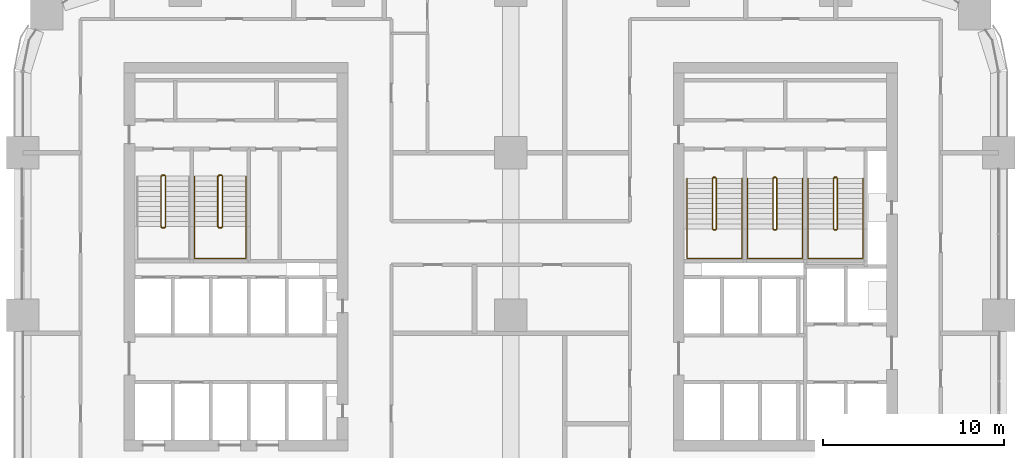
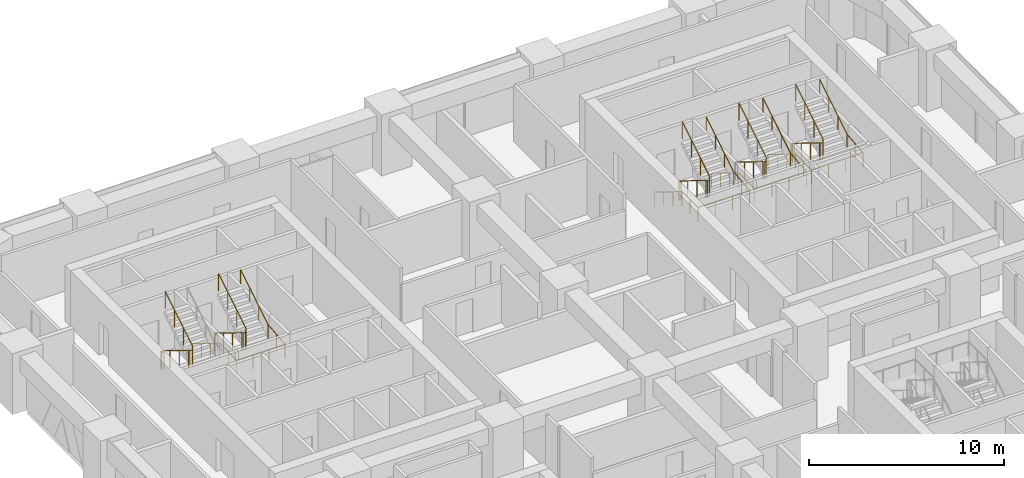
# One storey, part 21 of 21: 9 railings.
"""IFC4 building model written with IfcOpenShell, lengths in metres."""

from ifc_helpers import new_model, si_unit, direction, frame, origin, origin_2d, place, context, subcontext, project, spatial, circle, extrude, material, type_object, element, save


model = new_model("IFC4")

# Units and contexts
model_context = context("Model", 3, precision=1e-05, world=origin(), true_north=direction((0.0, 1.0)))
body_context = subcontext(model_context, "Body", "Model", "MODEL_VIEW")
ifc_project = project(units=[si_unit("LENGTHUNIT", "METRE"), si_unit("AREAUNIT", "SQUARE_METRE"), si_unit("VOLUMEUNIT", "CUBIC_METRE"), si_unit("PLANEANGLEUNIT", "RADIAN"), si_unit("MASSUNIT", "GRAM", prefix="KILO")], contexts=[model_context])

# Site, building, storey
site_placement = place(None, origin())
site = spatial("IfcSite", under=ifc_project, at=site_placement, CompositionType="ELEMENT")
building_placement = place(site_placement, origin())
building = spatial("IfcBuilding", under=site, at=building_placement, Name="Tessera Arch", CompositionType="ELEMENT")
storey_placement = place(building_placement, frame((0.0, 0.0, 50.0)))
storey = spatial("IfcBuildingStorey", under=building, at=storey_placement, Name="L10", CompositionType="ELEMENT", Elevation=50.0)

# Railings
ifc_material_1 = material(Name="Painted steel balustrade", Category="steel")
railing_type_1 = type_object("IfcRailingType", Name="Stair guard 1100", PredefinedType="GUARDRAIL", material=ifc_material_1)
railing_1_placement = place(storey_placement, frame((38.219970703125, 43.6298828125, 0.0)))
element("IfcRailing", 1, at=railing_1_placement, inside=storey, type_object=railing_type_1, Name="L10 S1a stair guard 1", PredefinedType="GUARDRAIL", context=body_context, shape_type="SweptSolid", body=[
    extrude(circle(Radius=0.02392578125, at=origin_2d()), frame((-0.00390625, 0.0, 1.076171875), z_axis=(1.0, 0.0, 0.0), x_axis=(0.0, 1.0, 0.0)), (0.0, 0.0, 1.0), 0.1181640625),
    extrude(circle(Radius=0.02392578125, at=origin_2d()), frame((0.11279296875, 0.000732421875, 1.0732421875), z_axis=(-0.665449600336, -0.206938595226, 0.717184249143), x_axis=(0.296948579431, -0.954893471113, 0.0)), (0.0, 0.0, 1.0), 0.248779296875),
    extrude(circle(Radius=0.02392578125, at=origin_2d()), frame((-0.050048828125, -0.04638671875, 1.24658203125), z_axis=(0.0, -0.851089632645, 0.525020415988), x_axis=(1.0, 0.0, 0.0)), (0.0, 0.0, 1.0), 3.2978515625),
    extrude(circle(Radius=0.02392578125, at=origin_2d()), frame((-0.052978515625, -2.846923828125, 2.97607421875), z_axis=(0.707106781187, -0.707106781187, 0.0), x_axis=(0.707106781187, 0.707106781187, 0.0)), (0.0, 0.0, 1.0), 0.078857421875),
    extrude(circle(Radius=0.02392578125, at=origin_2d()), frame((-0.00390625, -2.89990234375, 2.97607421875), z_axis=(1.0, 0.0, 0.0), x_axis=(0.0, 1.0, 0.0)), (0.0, 0.0, 1.0), 0.1181640625),
    extrude(circle(Radius=0.02392578125, at=origin_2d()), frame((0.109130859375, -2.90087890625, 2.97216796875), z_axis=(0.266739603011, 0.268047150085, 0.925743328097), x_axis=(-0.708833529934, 0.705375805398, 0.0)), (0.0, 0.0, 1.0), 0.19482421875),
    extrude(circle(Radius=0.02392578125, at=origin_2d()), frame((0.159912109375, -2.853271484375, 3.146728515625), z_axis=(0.0, 0.851089632645, 0.525020415988), x_axis=(-1.0, 0.0, 0.0)), (0.0, 0.0, 1.0), 3.2978515625),
    extrude(circle(Radius=0.02099609375, at=origin_2d()), origin(), (0.0, 0.0, 1.0), 1.06396484375),
    extrude(circle(Radius=0.02099609375, at=origin_2d()), frame((0.110107421875, 0.0, 0.0)), (0.0, 0.0, 1.0), 1.06396484375),
    extrude(circle(Radius=0.02099609375, at=origin_2d()), frame((-0.050048828125, -0.0498046875, 0.172607421875)), (0.0, 0.0, 1.0), 1.06396484375),
    extrude(circle(Radius=0.02099609375, at=origin_2d()), frame((-0.050048828125, -0.983154296875, 0.748291015625)), (0.0, 0.0, 1.0), 1.06396484375),
    extrude(circle(Radius=0.02099609375, at=origin_2d()), frame((-0.050048828125, -1.91650390625, 1.32421875)), (0.0, 0.0, 1.0), 1.06396484375),
    extrude(circle(Radius=0.02099609375, at=origin_2d()), frame((-0.050048828125, -2.849853515625, 1.89990234375)), (0.0, 0.0, 1.0), 1.06396484375),
    extrude(circle(Radius=0.02099609375, at=origin_2d()), frame((0.0, -2.89990234375, 1.89990234375)), (0.0, 0.0, 1.0), 1.06396484375),
    extrude(circle(Radius=0.02099609375, at=origin_2d()), frame((0.110107421875, -2.89990234375, 1.89990234375)), (0.0, 0.0, 1.0), 1.06396484375),
    extrude(circle(Radius=0.02099609375, at=origin_2d()), frame((0.159912109375, -2.849853515625, 2.07275390625)), (0.0, 0.0, 1.0), 1.06396484375),
    extrude(circle(Radius=0.02099609375, at=origin_2d()), frame((0.159912109375, -1.91650390625, 2.6484375)), (0.0, 0.0, 1.0), 1.06396484375),
    extrude(circle(Radius=0.02099609375, at=origin_2d()), frame((0.159912109375, -0.983154296875, 3.224365234375)), (0.0, 0.0, 1.0), 1.06396484375),
    extrude(circle(Radius=0.02099609375, at=origin_2d()), frame((0.159912109375, -0.0498046875, 3.800048828125)), (0.0, 0.0, 1.0), 1.06396484375),
])
railing_2_placement = place(storey_placement, frame((41.570068359375, 43.6298828125, 0.0)))
element("IfcRailing", 2, at=railing_2_placement, inside=storey, type_object=railing_type_1, Name="L10 S1b stair guard 1", PredefinedType="GUARDRAIL", context=body_context, shape_type="SweptSolid", body=[
    extrude(circle(Radius=0.02392578125, at=origin_2d()), frame((-0.00390625, 0.0, 1.076171875), z_axis=(1.0, 0.0, 0.0), x_axis=(0.0, 1.0, 0.0)), (0.0, 0.0, 1.0), 0.117919921875),
    extrude(circle(Radius=0.02392578125, at=origin_2d()), frame((0.112548828125, 0.000732421875, 1.0732421875), z_axis=(-0.664883824791, -0.207078321004, 0.717668494851), x_axis=(0.297361876254, -0.954764847777, 0.0)), (0.0, 0.0, 1.0), 0.24853515625),
    extrude(circle(Radius=0.02392578125, at=origin_2d()), frame((-0.050048828125, -0.04638671875, 1.24658203125), z_axis=(0.0, -0.851089632645, 0.525020415988), x_axis=(1.0, 0.0, 0.0)), (0.0, 0.0, 1.0), 3.2978515625),
    extrude(circle(Radius=0.02392578125, at=origin_2d()), frame((-0.052978515625, -2.846923828125, 2.97607421875), z_axis=(0.707106781187, -0.707106781187, 0.0), x_axis=(0.707106781187, 0.707106781187, 0.0)), (0.0, 0.0, 1.0), 0.078857421875),
    extrude(circle(Radius=0.02392578125, at=origin_2d()), frame((-0.00390625, -2.89990234375, 2.97607421875), z_axis=(1.0, 0.0, 0.0), x_axis=(0.0, 1.0, 0.0)), (0.0, 0.0, 1.0), 0.117919921875),
    extrude(circle(Radius=0.02392578125, at=origin_2d()), frame((0.10888671875, -2.90087890625, 2.97216796875), z_axis=(0.267953482034, 0.267953482034, 0.925419830635), x_axis=(-0.707106781187, 0.707106781187, 0.0)), (0.0, 0.0, 1.0), 0.19482421875),
    extrude(circle(Radius=0.02392578125, at=origin_2d()), frame((0.159912109375, -2.853271484375, 3.146728515625), z_axis=(0.0, 0.851089632645, 0.525020415988), x_axis=(-1.0, 0.0, 0.0)), (0.0, 0.0, 1.0), 3.2978515625),
    extrude(circle(Radius=0.02099609375, at=origin_2d()), origin(), (0.0, 0.0, 1.0), 1.06396484375),
    extrude(circle(Radius=0.02099609375, at=origin_2d()), frame((0.10986328125, 0.0, 0.0)), (0.0, 0.0, 1.0), 1.06396484375),
    extrude(circle(Radius=0.02099609375, at=origin_2d()), frame((-0.050048828125, -0.0498046875, 0.172607421875)), (0.0, 0.0, 1.0), 1.06396484375),
    extrude(circle(Radius=0.02099609375, at=origin_2d()), frame((-0.050048828125, -0.983154296875, 0.748291015625)), (0.0, 0.0, 1.0), 1.06396484375),
    extrude(circle(Radius=0.02099609375, at=origin_2d()), frame((-0.050048828125, -1.91650390625, 1.32421875)), (0.0, 0.0, 1.0), 1.06396484375),
    extrude(circle(Radius=0.02099609375, at=origin_2d()), frame((-0.050048828125, -2.849853515625, 1.89990234375)), (0.0, 0.0, 1.0), 1.06396484375),
    extrude(circle(Radius=0.02099609375, at=origin_2d()), frame((0.0, -2.89990234375, 1.89990234375)), (0.0, 0.0, 1.0), 1.06396484375),
    extrude(circle(Radius=0.02099609375, at=origin_2d()), frame((0.10986328125, -2.89990234375, 1.89990234375)), (0.0, 0.0, 1.0), 1.06396484375),
    extrude(circle(Radius=0.02099609375, at=origin_2d()), frame((0.159912109375, -2.849853515625, 2.07275390625)), (0.0, 0.0, 1.0), 1.06396484375),
    extrude(circle(Radius=0.02099609375, at=origin_2d()), frame((0.159912109375, -1.91650390625, 2.6484375)), (0.0, 0.0, 1.0), 1.06396484375),
    extrude(circle(Radius=0.02099609375, at=origin_2d()), frame((0.159912109375, -0.983154296875, 3.224365234375)), (0.0, 0.0, 1.0), 1.06396484375),
    extrude(circle(Radius=0.02099609375, at=origin_2d()), frame((0.159912109375, -0.0498046875, 3.800048828125)), (0.0, 0.0, 1.0), 1.06396484375),
])
railing_3_placement = place(storey_placement, frame((44.919921875, 43.6298828125, 0.0)))
element("IfcRailing", 3, at=railing_3_placement, inside=storey, type_object=railing_type_1, Name="L10 S1c stair guard 1", PredefinedType="GUARDRAIL", context=body_context, shape_type="SweptSolid", body=[
    extrude(circle(Radius=0.02392578125, at=origin_2d()), frame((-0.00390625, 0.0, 1.076171875), z_axis=(1.0, 0.0, 0.0), x_axis=(0.0, 1.0, 0.0)), (0.0, 0.0, 1.0), 0.1181640625),
    extrude(circle(Radius=0.02392578125, at=origin_2d()), frame((0.11279296875, 0.000732421875, 1.0732421875), z_axis=(-0.664883824791, -0.207078321004, 0.717668494851), x_axis=(0.297361876254, -0.954764847777, 0.0)), (0.0, 0.0, 1.0), 0.24853515625),
    extrude(circle(Radius=0.02392578125, at=origin_2d()), frame((-0.0498046875, -0.04638671875, 1.24658203125), z_axis=(0.0, -0.851089632645, 0.525020415988), x_axis=(1.0, 0.0, 0.0)), (0.0, 0.0, 1.0), 3.2978515625),
    extrude(circle(Radius=0.02392578125, at=origin_2d()), frame((-0.052734375, -2.846923828125, 2.97607421875), z_axis=(0.705375805398, -0.708833529934, 0.0), x_axis=(0.708833529934, 0.705375805398, 0.0)), (0.0, 0.0, 1.0), 0.07861328125),
    extrude(circle(Radius=0.02392578125, at=origin_2d()), frame((-0.00390625, -2.89990234375, 2.97607421875), z_axis=(1.0, 0.0, 0.0), x_axis=(0.0, 1.0, 0.0)), (0.0, 0.0, 1.0), 0.1181640625),
    extrude(circle(Radius=0.02392578125, at=origin_2d()), frame((0.109130859375, -2.90087890625, 2.97216796875), z_axis=(0.267953482034, 0.267953482034, 0.925419830635), x_axis=(-0.707106781187, 0.707106781187, 0.0)), (0.0, 0.0, 1.0), 0.19482421875),
    extrude(circle(Radius=0.02392578125, at=origin_2d()), frame((0.16015625, -2.853271484375, 3.146728515625), z_axis=(0.0, 0.851089632645, 0.525020415988), x_axis=(-1.0, 0.0, 0.0)), (0.0, 0.0, 1.0), 3.2978515625),
    extrude(circle(Radius=0.02099609375, at=origin_2d()), origin(), (0.0, 0.0, 1.0), 1.06396484375),
    extrude(circle(Radius=0.02099609375, at=origin_2d()), frame((0.110107421875, 0.0, 0.0)), (0.0, 0.0, 1.0), 1.06396484375),
    extrude(circle(Radius=0.02099609375, at=origin_2d()), frame((-0.0498046875, -0.0498046875, 0.172607421875)), (0.0, 0.0, 1.0), 1.06396484375),
    extrude(circle(Radius=0.02099609375, at=origin_2d()), frame((-0.0498046875, -0.983154296875, 0.748291015625)), (0.0, 0.0, 1.0), 1.06396484375),
    extrude(circle(Radius=0.02099609375, at=origin_2d()), frame((-0.0498046875, -1.91650390625, 1.32421875)), (0.0, 0.0, 1.0), 1.06396484375),
    extrude(circle(Radius=0.02099609375, at=origin_2d()), frame((-0.0498046875, -2.849853515625, 1.89990234375)), (0.0, 0.0, 1.0), 1.06396484375),
    extrude(circle(Radius=0.02099609375, at=origin_2d()), frame((0.0, -2.89990234375, 1.89990234375)), (0.0, 0.0, 1.0), 1.06396484375),
    extrude(circle(Radius=0.02099609375, at=origin_2d()), frame((0.110107421875, -2.89990234375, 1.89990234375)), (0.0, 0.0, 1.0), 1.06396484375),
    extrude(circle(Radius=0.02099609375, at=origin_2d()), frame((0.16015625, -2.849853515625, 2.07275390625)), (0.0, 0.0, 1.0), 1.06396484375),
    extrude(circle(Radius=0.02099609375, at=origin_2d()), frame((0.16015625, -1.91650390625, 2.6484375)), (0.0, 0.0, 1.0), 1.06396484375),
    extrude(circle(Radius=0.02099609375, at=origin_2d()), frame((0.16015625, -0.983154296875, 3.224365234375)), (0.0, 0.0, 1.0), 1.06396484375),
    extrude(circle(Radius=0.02099609375, at=origin_2d()), frame((0.16015625, -0.0498046875, 3.800048828125)), (0.0, 0.0, 1.0), 1.06396484375),
])
railing_4_placement = place(storey_placement, frame((7.699951171875, 43.75, 0.0)))
element("IfcRailing", 4, at=railing_4_placement, inside=storey, type_object=railing_type_1, Name="L10 S2a stair guard 1", PredefinedType="GUARDRAIL", context=body_context, shape_type="SweptSolid", body=[
    extrude(circle(Radius=0.02392578125, at=origin_2d()), frame((-0.00390625, 0.0, 1.076171875), z_axis=(1.0, 0.0, 0.0), x_axis=(0.0, 1.0, 0.0)), (0.0, 0.0, 1.0), 0.158203125),
    extrude(circle(Radius=0.02392578125, at=origin_2d()), frame((0.153076171875, 0.000732421875, 1.073486328125), z_axis=(-0.744141464035, -0.186035366009, 0.641595140332), x_axis=(0.242535625036, -0.970142500145, 0.0)), (0.0, 0.0, 1.0), 0.277099609375),
    extrude(circle(Radius=0.02392578125, at=origin_2d()), frame((-0.050048828125, -0.046630859375, 1.24658203125), z_axis=(0.0, -0.851089632645, 0.525020415988), x_axis=(1.0, 0.0, 0.0)), (0.0, 0.0, 1.0), 3.2978515625),
    extrude(circle(Radius=0.02392578125, at=origin_2d()), frame((-0.052978515625, -2.84716796875, 2.97607421875), z_axis=(0.708833529934, -0.705375805398, 0.0), x_axis=(0.705375805398, 0.708833529934, 0.0)), (0.0, 0.0, 1.0), 0.07861328125),
    extrude(circle(Radius=0.02392578125, at=origin_2d()), frame((-0.00390625, -2.89990234375, 2.97607421875), z_axis=(1.0, 0.0, 0.0), x_axis=(0.0, 1.0, 0.0)), (0.0, 0.0, 1.0), 0.158203125),
    extrude(circle(Radius=0.02392578125, at=origin_2d()), frame((0.149169921875, -2.90087890625, 2.97216796875), z_axis=(0.266832911964, 0.266832911964, 0.926067165051), x_axis=(-0.707106781187, 0.707106781187, 0.0)), (0.0, 0.0, 1.0), 0.194580078125),
    extrude(circle(Radius=0.02392578125, at=origin_2d()), frame((0.199951171875, -2.853515625, 3.146728515625), z_axis=(0.0, 0.851089632645, 0.525020415988), x_axis=(-1.0, 0.0, 0.0)), (0.0, 0.0, 1.0), 3.2978515625),
    extrude(circle(Radius=0.02099609375, at=origin_2d()), origin(), (0.0, 0.0, 1.0), 1.06396484375),
    extrude(circle(Radius=0.02099609375, at=origin_2d()), frame((0.150146484375, 0.0, 0.0)), (0.0, 0.0, 1.0), 1.06396484375),
    extrude(circle(Radius=0.02099609375, at=origin_2d()), frame((-0.050048828125, -0.050048828125, 0.172607421875)), (0.0, 0.0, 1.0), 1.06396484375),
    extrude(circle(Radius=0.02099609375, at=origin_2d()), frame((-0.050048828125, -0.9833984375, 0.748291015625)), (0.0, 0.0, 1.0), 1.06396484375),
    extrude(circle(Radius=0.02099609375, at=origin_2d()), frame((-0.050048828125, -1.916748046875, 1.32421875)), (0.0, 0.0, 1.0), 1.06396484375),
    extrude(circle(Radius=0.02099609375, at=origin_2d()), frame((-0.050048828125, -2.85009765625, 1.89990234375)), (0.0, 0.0, 1.0), 1.06396484375),
    extrude(circle(Radius=0.02099609375, at=origin_2d()), frame((0.0, -2.89990234375, 1.89990234375)), (0.0, 0.0, 1.0), 1.06396484375),
    extrude(circle(Radius=0.02099609375, at=origin_2d()), frame((0.150146484375, -2.89990234375, 1.89990234375)), (0.0, 0.0, 1.0), 1.06396484375),
    extrude(circle(Radius=0.02099609375, at=origin_2d()), frame((0.199951171875, -2.85009765625, 2.07275390625)), (0.0, 0.0, 1.0), 1.06396484375),
    extrude(circle(Radius=0.02099609375, at=origin_2d()), frame((0.199951171875, -1.916748046875, 2.6484375)), (0.0, 0.0, 1.0), 1.06396484375),
    extrude(circle(Radius=0.02099609375, at=origin_2d()), frame((0.199951171875, -0.9833984375, 3.224365234375)), (0.0, 0.0, 1.0), 1.06396484375),
    extrude(circle(Radius=0.02099609375, at=origin_2d()), frame((0.199951171875, -0.050048828125, 3.800048828125)), (0.0, 0.0, 1.0), 1.06396484375),
])
railing_5_placement = place(storey_placement, frame((10.85009765625, 43.75, 0.0)))
element("IfcRailing", 5, at=railing_5_placement, inside=storey, type_object=railing_type_1, Name="L10 S2b stair guard 1", PredefinedType="GUARDRAIL", context=body_context, shape_type="SweptSolid", body=[
    extrude(circle(Radius=0.02392578125, at=origin_2d()), frame((-0.00390625, 0.0, 1.076171875), z_axis=(1.0, 0.0, 0.0), x_axis=(0.0, 1.0, 0.0)), (0.0, 0.0, 1.0), 0.157958984375),
    extrude(circle(Radius=0.02392578125, at=origin_2d()), frame((0.15283203125, 0.000732421875, 1.073486328125), z_axis=(-0.743736083135, -0.18616104645, 0.642028584587), x_axis=(0.242814311512, -0.970072785993, 0.0)), (0.0, 0.0, 1.0), 0.27685546875),
    extrude(circle(Radius=0.02392578125, at=origin_2d()), frame((-0.050048828125, -0.046630859375, 1.24658203125), z_axis=(0.0, -0.851089632645, 0.525020415988), x_axis=(1.0, 0.0, 0.0)), (0.0, 0.0, 1.0), 3.2978515625),
    extrude(circle(Radius=0.02392578125, at=origin_2d()), frame((-0.052978515625, -2.84716796875, 2.97607421875), z_axis=(0.708833529934, -0.705375805398, 0.0), x_axis=(0.705375805398, 0.708833529934, 0.0)), (0.0, 0.0, 1.0), 0.07861328125),
    extrude(circle(Radius=0.02392578125, at=origin_2d()), frame((-0.00390625, -2.89990234375, 2.97607421875), z_axis=(1.0, 0.0, 0.0), x_axis=(0.0, 1.0, 0.0)), (0.0, 0.0, 1.0), 0.157958984375),
    extrude(circle(Radius=0.02392578125, at=origin_2d()), frame((0.14892578125, -2.90087890625, 2.97216796875), z_axis=(0.268047150085, 0.266739603011, 0.925743328097), x_axis=(-0.705375805398, 0.708833529934, 0.0)), (0.0, 0.0, 1.0), 0.19482421875),
    extrude(circle(Radius=0.02392578125, at=origin_2d()), frame((0.199951171875, -2.853515625, 3.146728515625), z_axis=(0.0, 0.851089632645, 0.525020415988), x_axis=(-1.0, 0.0, 0.0)), (0.0, 0.0, 1.0), 3.2978515625),
    extrude(circle(Radius=0.02099609375, at=origin_2d()), origin(), (0.0, 0.0, 1.0), 1.06396484375),
    extrude(circle(Radius=0.02099609375, at=origin_2d()), frame((0.14990234375, 0.0, 0.0)), (0.0, 0.0, 1.0), 1.06396484375),
    extrude(circle(Radius=0.02099609375, at=origin_2d()), frame((-0.050048828125, -0.050048828125, 0.172607421875)), (0.0, 0.0, 1.0), 1.06396484375),
    extrude(circle(Radius=0.02099609375, at=origin_2d()), frame((-0.050048828125, -0.9833984375, 0.748291015625)), (0.0, 0.0, 1.0), 1.06396484375),
    extrude(circle(Radius=0.02099609375, at=origin_2d()), frame((-0.050048828125, -1.916748046875, 1.32421875)), (0.0, 0.0, 1.0), 1.06396484375),
    extrude(circle(Radius=0.02099609375, at=origin_2d()), frame((-0.050048828125, -2.85009765625, 1.89990234375)), (0.0, 0.0, 1.0), 1.06396484375),
    extrude(circle(Radius=0.02099609375, at=origin_2d()), frame((0.0, -2.89990234375, 1.89990234375)), (0.0, 0.0, 1.0), 1.06396484375),
    extrude(circle(Radius=0.02099609375, at=origin_2d()), frame((0.14990234375, -2.89990234375, 1.89990234375)), (0.0, 0.0, 1.0), 1.06396484375),
    extrude(circle(Radius=0.02099609375, at=origin_2d()), frame((0.199951171875, -2.85009765625, 2.07275390625)), (0.0, 0.0, 1.0), 1.06396484375),
    extrude(circle(Radius=0.02099609375, at=origin_2d()), frame((0.199951171875, -1.916748046875, 2.6484375)), (0.0, 0.0, 1.0), 1.06396484375),
    extrude(circle(Radius=0.02099609375, at=origin_2d()), frame((0.199951171875, -0.9833984375, 3.224365234375)), (0.0, 0.0, 1.0), 1.06396484375),
    extrude(circle(Radius=0.02099609375, at=origin_2d()), frame((0.199951171875, -0.050048828125, 3.800048828125)), (0.0, 0.0, 1.0), 1.06396484375),
])
ifc_material_2 = material(Name="Painted steel handrail", Category="steel")
railing_type_2 = type_object("IfcRailingType", Name="Stair handrail 900", PredefinedType="HANDRAIL", material=ifc_material_2)
railing_6_placement = place(storey_placement, frame((36.75, 43.580078125, 0.172607421875)))
element("IfcRailing", 6, at=railing_6_placement, inside=storey, type_object=railing_type_2, Name="L10 S1a stair handrail", PredefinedType="HANDRAIL", context=body_context, shape_type="SweptSolid", body=[
    extrude(circle(Radius=0.02392578125, at=origin_2d()), frame((0.0, 0.00341796875, 0.873779296875), z_axis=(0.0, -0.851089632645, 0.525020415988), x_axis=(1.0, 0.0, 0.0)), (0.0, 0.0, 1.0), 3.2978515625),
    extrude(circle(Radius=0.02392578125, at=origin_2d()), frame((0.0, -2.796142578125, 2.60302734375), z_axis=(0.0, -1.0, 0.0), x_axis=(1.0, 0.0, 0.0)), (0.0, 0.0, 1.0), 1.63818359375),
    extrude(circle(Radius=0.02392578125, at=origin_2d()), frame((-0.00390625, -4.43017578125, 2.60302734375), z_axis=(1.0, 0.0, 0.0), x_axis=(0.0, 1.0, 0.0)), (0.0, 0.0, 1.0), 3.05810546875),
    extrude(circle(Radius=0.02392578125, at=origin_2d()), frame((3.050048828125, -4.43408203125, 2.602783203125), z_axis=(0.0, 0.994425187763, 0.105444515941), x_axis=(-1.0, 0.0, 0.0)), (0.0, 0.0, 1.0), 1.647216796875),
    extrude(circle(Radius=0.02392578125, at=origin_2d()), frame((3.050048828125, -2.803466796875, 2.77392578125), z_axis=(0.0, 0.851089632645, 0.525020415988), x_axis=(-1.0, 0.0, 0.0)), (0.0, 0.0, 1.0), 3.2978515625),
    extrude(circle(Radius=0.02099609375, at=origin_2d()), origin(), (0.0, 0.0, 1.0), 0.86376953125),
    extrude(circle(Radius=0.02099609375, at=origin_2d()), frame((0.0, -0.933349609375, 0.57568359375)), (0.0, 0.0, 1.0), 0.86376953125),
    extrude(circle(Radius=0.02099609375, at=origin_2d()), frame((0.0, -1.86669921875, 1.151611328125)), (0.0, 0.0, 1.0), 0.86376953125),
    extrude(circle(Radius=0.02099609375, at=origin_2d()), frame((0.0, -2.800048828125, 1.727294921875)), (0.0, 0.0, 1.0), 0.86376953125),
    extrude(circle(Radius=0.02099609375, at=origin_2d()), frame((0.0, -3.615234375, 1.727294921875)), (0.0, 0.0, 1.0), 0.86376953125),
    extrude(circle(Radius=0.02099609375, at=origin_2d()), frame((0.0, -4.43017578125, 1.727294921875)), (0.0, 0.0, 1.0), 0.86376953125),
    extrude(circle(Radius=0.02099609375, at=origin_2d()), frame((1.0166015625, -4.43017578125, 1.727294921875)), (0.0, 0.0, 1.0), 0.86376953125),
    extrude(circle(Radius=0.02099609375, at=origin_2d()), frame((2.033447265625, -4.43017578125, 1.727294921875)), (0.0, 0.0, 1.0), 0.86376953125),
    extrude(circle(Radius=0.02099609375, at=origin_2d()), frame((3.050048828125, -4.43017578125, 1.727294921875)), (0.0, 0.0, 1.0), 0.86376953125),
    extrude(circle(Radius=0.02099609375, at=origin_2d()), frame((3.050048828125, -3.615234375, 1.813720703125)), (0.0, 0.0, 1.0), 0.86376953125),
    extrude(circle(Radius=0.02099609375, at=origin_2d()), frame((3.050048828125, -2.800048828125, 1.900146484375)), (0.0, 0.0, 1.0), 0.86376953125),
    extrude(circle(Radius=0.02099609375, at=origin_2d()), frame((3.050048828125, -1.86669921875, 2.475830078125)), (0.0, 0.0, 1.0), 0.86376953125),
    extrude(circle(Radius=0.02099609375, at=origin_2d()), frame((3.050048828125, -0.933349609375, 3.0517578125)), (0.0, 0.0, 1.0), 0.86376953125),
    extrude(circle(Radius=0.02099609375, at=origin_2d()), frame((3.050048828125, 0.0, 3.62744140625)), (0.0, 0.0, 1.0), 0.86376953125),
])
railing_7_placement = place(storey_placement, frame((40.10009765625, 43.580078125, 0.172607421875)))
element("IfcRailing", 7, at=railing_7_placement, inside=storey, type_object=railing_type_2, Name="L10 S1b stair handrail", PredefinedType="HANDRAIL", context=body_context, shape_type="SweptSolid", body=[
    extrude(circle(Radius=0.02392578125, at=origin_2d()), frame((0.0, 0.00341796875, 0.873779296875), z_axis=(0.0, -0.851089632645, 0.525020415988), x_axis=(1.0, 0.0, 0.0)), (0.0, 0.0, 1.0), 3.2978515625),
    extrude(circle(Radius=0.02392578125, at=origin_2d()), frame((0.0, -2.796142578125, 2.60302734375), z_axis=(0.0, -1.0, 0.0), x_axis=(1.0, 0.0, 0.0)), (0.0, 0.0, 1.0), 1.63818359375),
    extrude(circle(Radius=0.02392578125, at=origin_2d()), frame((-0.00390625, -4.43017578125, 2.60302734375), z_axis=(1.0, 0.0, 0.0), x_axis=(0.0, 1.0, 0.0)), (0.0, 0.0, 1.0), 3.057861328125),
    extrude(circle(Radius=0.02392578125, at=origin_2d()), frame((3.0498046875, -4.43408203125, 2.602783203125), z_axis=(0.0, 0.994425187763, 0.105444515941), x_axis=(-1.0, 0.0, 0.0)), (0.0, 0.0, 1.0), 1.647216796875),
    extrude(circle(Radius=0.02392578125, at=origin_2d()), frame((3.0498046875, -2.803466796875, 2.77392578125), z_axis=(0.0, 0.851089632645, 0.525020415988), x_axis=(-1.0, 0.0, 0.0)), (0.0, 0.0, 1.0), 3.2978515625),
    extrude(circle(Radius=0.02099609375, at=origin_2d()), origin(), (0.0, 0.0, 1.0), 0.86376953125),
    extrude(circle(Radius=0.02099609375, at=origin_2d()), frame((0.0, -0.933349609375, 0.57568359375)), (0.0, 0.0, 1.0), 0.86376953125),
    extrude(circle(Radius=0.02099609375, at=origin_2d()), frame((0.0, -1.86669921875, 1.151611328125)), (0.0, 0.0, 1.0), 0.86376953125),
    extrude(circle(Radius=0.02099609375, at=origin_2d()), frame((0.0, -2.800048828125, 1.727294921875)), (0.0, 0.0, 1.0), 0.86376953125),
    extrude(circle(Radius=0.02099609375, at=origin_2d()), frame((0.0, -3.615234375, 1.727294921875)), (0.0, 0.0, 1.0), 0.86376953125),
    extrude(circle(Radius=0.02099609375, at=origin_2d()), frame((0.0, -4.43017578125, 1.727294921875)), (0.0, 0.0, 1.0), 0.86376953125),
    extrude(circle(Radius=0.02099609375, at=origin_2d()), frame((1.0166015625, -4.43017578125, 1.727294921875)), (0.0, 0.0, 1.0), 0.86376953125),
    extrude(circle(Radius=0.02099609375, at=origin_2d()), frame((2.033203125, -4.43017578125, 1.727294921875)), (0.0, 0.0, 1.0), 0.86376953125),
    extrude(circle(Radius=0.02099609375, at=origin_2d()), frame((3.0498046875, -4.43017578125, 1.727294921875)), (0.0, 0.0, 1.0), 0.86376953125),
    extrude(circle(Radius=0.02099609375, at=origin_2d()), frame((3.0498046875, -3.615234375, 1.813720703125)), (0.0, 0.0, 1.0), 0.86376953125),
    extrude(circle(Radius=0.02099609375, at=origin_2d()), frame((3.0498046875, -2.800048828125, 1.900146484375)), (0.0, 0.0, 1.0), 0.86376953125),
    extrude(circle(Radius=0.02099609375, at=origin_2d()), frame((3.0498046875, -1.86669921875, 2.475830078125)), (0.0, 0.0, 1.0), 0.86376953125),
    extrude(circle(Radius=0.02099609375, at=origin_2d()), frame((3.0498046875, -0.933349609375, 3.0517578125)), (0.0, 0.0, 1.0), 0.86376953125),
    extrude(circle(Radius=0.02099609375, at=origin_2d()), frame((3.0498046875, 0.0, 3.62744140625)), (0.0, 0.0, 1.0), 0.86376953125),
])
railing_8_placement = place(storey_placement, frame((43.449951171875, 43.580078125, 0.172607421875)))
element("IfcRailing", 8, at=railing_8_placement, inside=storey, type_object=railing_type_2, Name="L10 S1c stair handrail", PredefinedType="HANDRAIL", context=body_context, shape_type="SweptSolid", body=[
    extrude(circle(Radius=0.02392578125, at=origin_2d()), frame((0.0, 0.00341796875, 0.873779296875), z_axis=(0.0, -0.851089632645, 0.525020415988), x_axis=(1.0, 0.0, 0.0)), (0.0, 0.0, 1.0), 3.2978515625),
    extrude(circle(Radius=0.02392578125, at=origin_2d()), frame((0.0, -2.796142578125, 2.60302734375), z_axis=(0.0, -1.0, 0.0), x_axis=(1.0, 0.0, 0.0)), (0.0, 0.0, 1.0), 1.63818359375),
    extrude(circle(Radius=0.02392578125, at=origin_2d()), frame((-0.00390625, -4.43017578125, 2.60302734375), z_axis=(1.0, 0.0, 0.0), x_axis=(0.0, 1.0, 0.0)), (0.0, 0.0, 1.0), 3.05810546875),
    extrude(circle(Radius=0.02392578125, at=origin_2d()), frame((3.050048828125, -4.43408203125, 2.602783203125), z_axis=(0.0, 0.994425187763, 0.105444515941), x_axis=(-1.0, 0.0, 0.0)), (0.0, 0.0, 1.0), 1.647216796875),
    extrude(circle(Radius=0.02392578125, at=origin_2d()), frame((3.050048828125, -2.803466796875, 2.77392578125), z_axis=(0.0, 0.851089632645, 0.525020415988), x_axis=(-1.0, 0.0, 0.0)), (0.0, 0.0, 1.0), 3.2978515625),
    extrude(circle(Radius=0.02099609375, at=origin_2d()), origin(), (0.0, 0.0, 1.0), 0.86376953125),
    extrude(circle(Radius=0.02099609375, at=origin_2d()), frame((0.0, -0.933349609375, 0.57568359375)), (0.0, 0.0, 1.0), 0.86376953125),
    extrude(circle(Radius=0.02099609375, at=origin_2d()), frame((0.0, -1.86669921875, 1.151611328125)), (0.0, 0.0, 1.0), 0.86376953125),
    extrude(circle(Radius=0.02099609375, at=origin_2d()), frame((0.0, -2.800048828125, 1.727294921875)), (0.0, 0.0, 1.0), 0.86376953125),
    extrude(circle(Radius=0.02099609375, at=origin_2d()), frame((0.0, -3.615234375, 1.727294921875)), (0.0, 0.0, 1.0), 0.86376953125),
    extrude(circle(Radius=0.02099609375, at=origin_2d()), frame((0.0, -4.43017578125, 1.727294921875)), (0.0, 0.0, 1.0), 0.86376953125),
    extrude(circle(Radius=0.02099609375, at=origin_2d()), frame((1.0166015625, -4.43017578125, 1.727294921875)), (0.0, 0.0, 1.0), 0.86376953125),
    extrude(circle(Radius=0.02099609375, at=origin_2d()), frame((2.033447265625, -4.43017578125, 1.727294921875)), (0.0, 0.0, 1.0), 0.86376953125),
    extrude(circle(Radius=0.02099609375, at=origin_2d()), frame((3.050048828125, -4.43017578125, 1.727294921875)), (0.0, 0.0, 1.0), 0.86376953125),
    extrude(circle(Radius=0.02099609375, at=origin_2d()), frame((3.050048828125, -3.615234375, 1.813720703125)), (0.0, 0.0, 1.0), 0.86376953125),
    extrude(circle(Radius=0.02099609375, at=origin_2d()), frame((3.050048828125, -2.800048828125, 1.900146484375)), (0.0, 0.0, 1.0), 0.86376953125),
    extrude(circle(Radius=0.02099609375, at=origin_2d()), frame((3.050048828125, -1.86669921875, 2.475830078125)), (0.0, 0.0, 1.0), 0.86376953125),
    extrude(circle(Radius=0.02099609375, at=origin_2d()), frame((3.050048828125, -0.933349609375, 3.0517578125)), (0.0, 0.0, 1.0), 0.86376953125),
    extrude(circle(Radius=0.02099609375, at=origin_2d()), frame((3.050048828125, 0.0, 3.62744140625)), (0.0, 0.0, 1.0), 0.86376953125),
])
railing_9_placement = place(storey_placement, frame((9.5, 43.699951171875, 0.172607421875)))
element("IfcRailing", 9, at=railing_9_placement, inside=storey, type_object=railing_type_2, Name="L10 S2b stair handrail", PredefinedType="HANDRAIL", context=body_context, shape_type="SweptSolid", body=[
    extrude(circle(Radius=0.02392578125, at=origin_2d()), frame((0.0, 0.00341796875, 0.873779296875), z_axis=(0.0, -0.851089632645, 0.525020415988), x_axis=(1.0, 0.0, 0.0)), (0.0, 0.0, 1.0), 3.2978515625),
    extrude(circle(Radius=0.02392578125, at=origin_2d()), frame((0.0, -2.796142578125, 2.60302734375), z_axis=(0.0, -1.0, 0.0), x_axis=(1.0, 0.0, 0.0)), (0.0, 0.0, 1.0), 1.758056640625),
    extrude(circle(Radius=0.02392578125, at=origin_2d()), frame((-0.00390625, -4.550048828125, 2.60302734375), z_axis=(1.0, 0.0, 0.0), x_axis=(0.0, 1.0, 0.0)), (0.0, 0.0, 1.0), 2.858154296875),
    extrude(circle(Radius=0.02392578125, at=origin_2d()), frame((2.85009765625, -4.553955078125, 2.602783203125), z_axis=(0.0, 0.995157418657, 0.098294008428), x_axis=(-1.0, 0.0, 0.0)), (0.0, 0.0, 1.0), 1.7666015625),
    extrude(circle(Radius=0.02392578125, at=origin_2d()), frame((2.85009765625, -2.803466796875, 2.77392578125), z_axis=(0.0, 0.851089632645, 0.525020415988), x_axis=(-1.0, 0.0, 0.0)), (0.0, 0.0, 1.0), 3.2978515625),
    extrude(circle(Radius=0.02099609375, at=origin_2d()), origin(), (0.0, 0.0, 1.0), 0.86376953125),
    extrude(circle(Radius=0.02099609375, at=origin_2d()), frame((0.0, -0.933349609375, 0.57568359375)), (0.0, 0.0, 1.0), 0.86376953125),
    extrude(circle(Radius=0.02099609375, at=origin_2d()), frame((0.0, -1.86669921875, 1.151611328125)), (0.0, 0.0, 1.0), 0.86376953125),
    extrude(circle(Radius=0.02099609375, at=origin_2d()), frame((0.0, -2.800048828125, 1.727294921875)), (0.0, 0.0, 1.0), 0.86376953125),
    extrude(circle(Radius=0.02099609375, at=origin_2d()), frame((0.0, -3.675048828125, 1.727294921875)), (0.0, 0.0, 1.0), 0.86376953125),
    extrude(circle(Radius=0.02099609375, at=origin_2d()), frame((0.0, -4.550048828125, 1.727294921875)), (0.0, 0.0, 1.0), 0.86376953125),
    extrude(circle(Radius=0.02099609375, at=origin_2d()), frame((0.949951171875, -4.550048828125, 1.727294921875)), (0.0, 0.0, 1.0), 0.86376953125),
    extrude(circle(Radius=0.02099609375, at=origin_2d()), frame((1.900146484375, -4.550048828125, 1.727294921875)), (0.0, 0.0, 1.0), 0.86376953125),
    extrude(circle(Radius=0.02099609375, at=origin_2d()), frame((2.85009765625, -4.550048828125, 1.727294921875)), (0.0, 0.0, 1.0), 0.86376953125),
    extrude(circle(Radius=0.02099609375, at=origin_2d()), frame((2.85009765625, -3.675048828125, 1.813720703125)), (0.0, 0.0, 1.0), 0.86376953125),
    extrude(circle(Radius=0.02099609375, at=origin_2d()), frame((2.85009765625, -2.800048828125, 1.900146484375)), (0.0, 0.0, 1.0), 0.86376953125),
    extrude(circle(Radius=0.02099609375, at=origin_2d()), frame((2.85009765625, -1.86669921875, 2.475830078125)), (0.0, 0.0, 1.0), 0.86376953125),
    extrude(circle(Radius=0.02099609375, at=origin_2d()), frame((2.85009765625, -0.933349609375, 3.0517578125)), (0.0, 0.0, 1.0), 0.86376953125),
    extrude(circle(Radius=0.02099609375, at=origin_2d()), frame((2.85009765625, 0.0, 3.62744140625)), (0.0, 0.0, 1.0), 0.86376953125),
])

save(model, "model.ifc")
